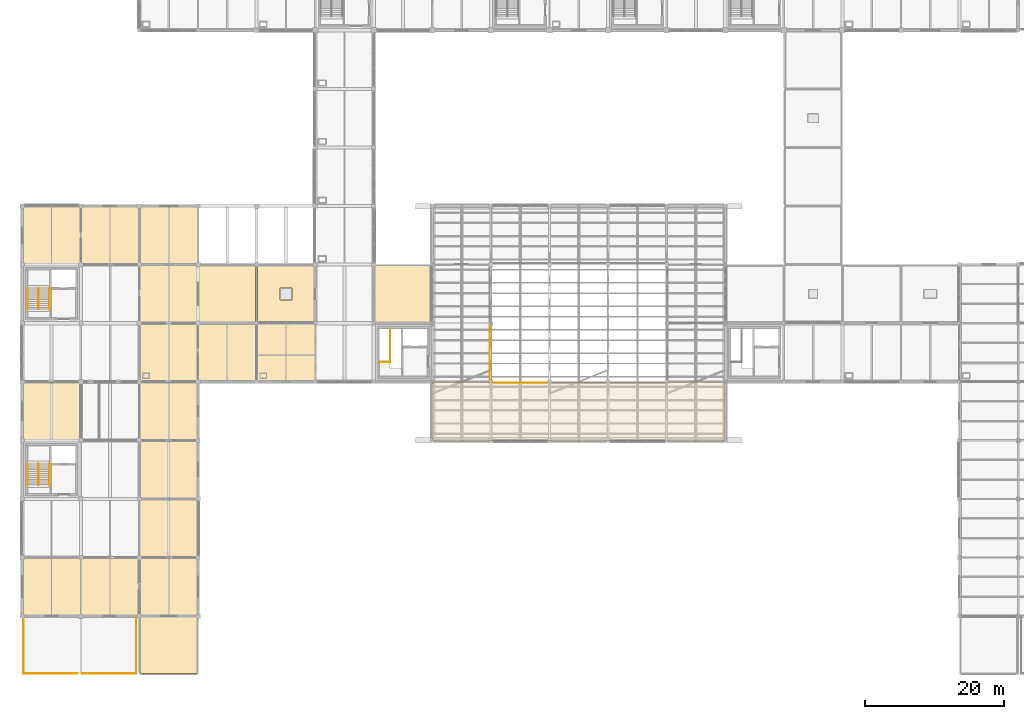
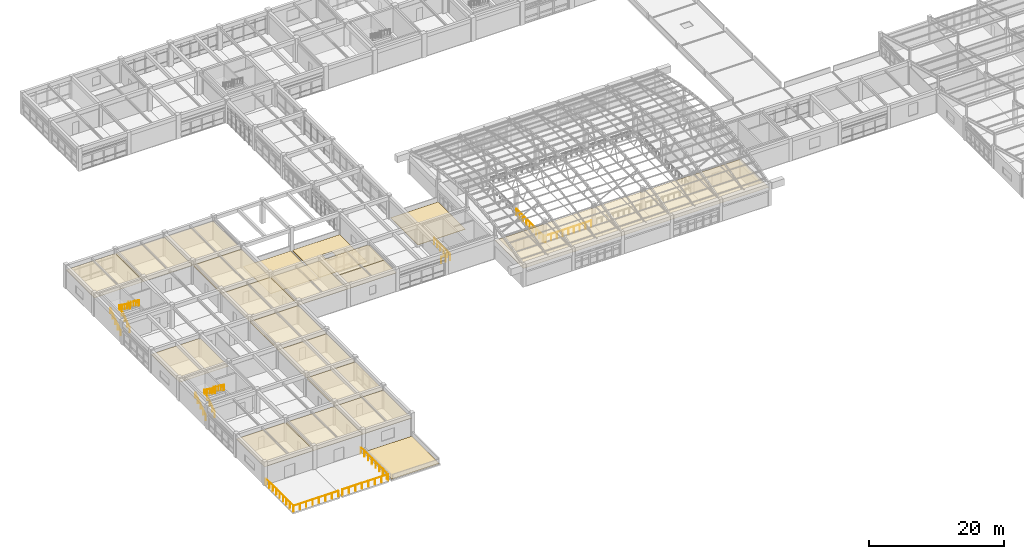
# One storey, part 72 of 74: 20 coverings, 15 railings.
"""IFC4 building model written with IfcOpenShell, lengths in metres."""

from ifc_helpers import new_model, si_unit, direction, frame, origin, origin_2d, place, context, subcontext, project, spatial, polyline, circle, outline, extrude, material, layer, layer_set, type_object, element, save


model = new_model("IFC4")

# Units and contexts
model_context = context("Model", 3, precision=1e-05, world=origin(), true_north=direction((0.0, 1.0)))
body_context = subcontext(model_context, "Body", "Model", "MODEL_VIEW")
ifc_project = project(units=[si_unit("LENGTHUNIT", "METRE"), si_unit("AREAUNIT", "SQUARE_METRE"), si_unit("VOLUMEUNIT", "CUBIC_METRE"), si_unit("PLANEANGLEUNIT", "RADIAN"), si_unit("MASSUNIT", "GRAM", prefix="KILO")], contexts=[model_context])

# Site, building, storey
site_placement = place(None, origin())
site = spatial("IfcSite", under=ifc_project, at=site_placement, CompositionType="ELEMENT")
building_placement = place(site_placement, origin())
building = spatial("IfcBuilding", under=site, at=building_placement, Name="Porcellanite Civic Hall", CompositionType="ELEMENT")
storey_placement = place(building_placement, frame((0.0, 0.0, 14.760009765625)))
storey = spatial("IfcBuildingStorey", under=building, at=storey_placement, Name="L03", CompositionType="ELEMENT", Elevation=14.760009765625)

# Coverings
ifc_material_1 = material(Name="Perforated acoustic mineral-fibre and spotted-gum batten ceiling")
ifc_layer_1 = layer(ifc_material_1, 0.02490234375)
ifc_layer_set_1 = layer_set([ifc_layer_1], Name="Perforated acoustic mineral-fibre and spotted-gum batten ceiling")
covering_type_1 = type_object("IfcCoveringType", Name="COV-CL1", PredefinedType="CEILING", material=ifc_layer_set_1)
covering_1_placement = place(storey_placement, frame((0.0, 0.0, 3.1650390625)))
element("IfcCovering", 1, at=covering_1_placement, inside=storey, type_object=covering_type_1, Name="Acoustic ceiling Council Chamber Public Gallery", PredefinedType="CEILING", context=body_context, shape_type="SweptSolid", body=[
    extrude(outline(polyline([(67.2099609375, 42.010009765625), (109.18994140625, 42.010009765625), (109.18994140625, 50.389892578125), (67.2099609375, 50.389892578125), (67.2099609375, 42.010009765625)])), origin(), (0.0, 0.0, 1.0), 0.02490234375),
])
ifc_material_2 = material(Name="Perforated acoustic mineral-fibre and spotted-gum batten ceiling")
ifc_layer_2 = layer(ifc_material_2, 0.044921875)
ifc_layer_set_2 = layer_set([ifc_layer_2], Name="Perforated acoustic mineral-fibre and spotted-gum batten ceiling")
covering_type_2 = type_object("IfcCoveringType", Name="COV-CL3", PredefinedType="CEILING", material=ifc_layer_set_2)
covering_2_placement = place(storey_placement, frame((0.0, 0.0, 3.14501953125)))
element("IfcCovering", 2, at=covering_2_placement, inside=storey, type_object=covering_type_2, Name="Acoustic ceiling Civic Media Studio L03-A", PredefinedType="CEILING", context=body_context, shape_type="SweptSolid", body=[
    extrude(outline(polyline([(42.010009765625, 50.409912109375), (50.389892578125, 50.409912109375), (50.389892578125, 54.18994140625), (42.010009765625, 54.18994140625), (42.010009765625, 50.409912109375)])), origin(), (0.0, 0.0, 1.0), 0.044921875),
])
covering_3_placement = place(storey_placement, frame((0.0, 0.0, 3.14501953125)))
element("IfcCovering", 3, at=covering_3_placement, inside=storey, type_object=covering_type_2, Name="Acoustic ceiling Policy Research Office L03-B", PredefinedType="CEILING", context=body_context, shape_type="SweptSolid", body=[
    extrude(outline(polyline([(42.010009765625, 54.2099609375), (50.389892578125, 54.2099609375), (50.389892578125, 58.7900390625), (42.010009765625, 58.7900390625), (42.010009765625, 54.2099609375)])), origin(), (0.0, 0.0, 1.0), 0.044921875),
])
covering_4_placement = place(storey_placement, frame((0.0, 0.0, 3.14501953125)))
element("IfcCovering", 4, at=covering_4_placement, inside=storey, type_object=covering_type_2, Name="Acoustic ceiling Statutory Review Suite L03-01", PredefinedType="CEILING", context=body_context, shape_type="SweptSolid", body=[
    extrude(outline(polyline([(8.409912109375, 16.81005859375), (16.7900390625, 16.81005859375), (16.7900390625, 25.18994140625), (8.409912109375, 25.18994140625), (8.409912109375, 16.81005859375)])), origin(), (0.0, 0.0, 1.0), 0.044921875),
])
covering_5_placement = place(storey_placement, frame((0.0, 0.0, 3.14501953125)))
element("IfcCovering", 5, at=covering_5_placement, inside=storey, type_object=covering_type_2, Name="Acoustic ceiling Statutory Review Suite L03-03", PredefinedType="CEILING", context=body_context, shape_type="SweptSolid", body=[
    extrude(outline(polyline([(8.409912109375, 42.010009765625), (16.7900390625, 42.010009765625), (16.7900390625, 50.389892578125), (8.409912109375, 50.389892578125), (8.409912109375, 42.010009765625)])), origin(), (0.0, 0.0, 1.0), 0.044921875),
])
covering_6_placement = place(storey_placement, frame((0.0, 0.0, 3.14501953125)))
element("IfcCovering", 6, at=covering_6_placement, inside=storey, type_object=covering_type_2, Name="Acoustic ceiling Statutory Review Suite L03-05", PredefinedType="CEILING", context=body_context, shape_type="SweptSolid", body=[
    extrude(outline(polyline([(8.409912109375, 67.2099609375), (16.7900390625, 67.2099609375), (16.7900390625, 75.590087890625), (8.409912109375, 75.590087890625), (8.409912109375, 67.2099609375)])), origin(), (0.0, 0.0, 1.0), 0.044921875),
])
covering_7_placement = place(storey_placement, frame((0.0, 0.0, 3.14501953125)))
element("IfcCovering", 7, at=covering_7_placement, inside=storey, type_object=covering_type_2, Name="Acoustic ceiling Public Hearing Room L03-06", PredefinedType="CEILING", context=body_context, shape_type="SweptSolid", body=[
    extrude(outline(polyline([(16.81005859375, 16.81005859375), (25.18994140625, 16.81005859375), (25.18994140625, 25.18994140625), (16.81005859375, 25.18994140625), (16.81005859375, 16.81005859375)])), origin(), (0.0, 0.0, 1.0), 0.044921875),
])
covering_8_placement = place(storey_placement, frame((0.0, 0.0, 3.14501953125)))
element("IfcCovering", 8, at=covering_8_placement, inside=storey, type_object=covering_type_2, Name="Acoustic ceiling Committee Room L03-11", PredefinedType="CEILING", context=body_context, shape_type="SweptSolid", body=[
    extrude(outline(polyline([(16.81005859375, 67.2099609375), (25.18994140625, 67.2099609375), (25.18994140625, 75.590087890625), (16.81005859375, 75.590087890625), (16.81005859375, 67.2099609375)])), origin(), (0.0, 0.0, 1.0), 0.044921875),
])
covering_9_placement = place(storey_placement, frame((0.0, 0.0, 3.14501953125)))
element("IfcCovering", 9, at=covering_9_placement, inside=storey, type_object=covering_type_2, Name="Acoustic ceiling Policy Seminar Room L03-12", PredefinedType="CEILING", context=body_context, shape_type="SweptSolid", body=[
    extrude(outline(polyline([(25.2099609375, 16.81005859375), (33.590087890625, 16.81005859375), (33.590087890625, 25.18994140625), (25.2099609375, 25.18994140625), (25.2099609375, 16.81005859375)])), origin(), (0.0, 0.0, 1.0), 0.044921875),
])
covering_10_placement = place(storey_placement, frame((0.0, 0.0, 3.14501953125)))
element("IfcCovering", 10, at=covering_10_placement, inside=storey, type_object=covering_type_2, Name="Acoustic ceiling Statutory Review Suite L03-13", PredefinedType="CEILING", context=body_context, shape_type="SweptSolid", body=[
    extrude(outline(polyline([(25.2099609375, 25.2099609375), (33.590087890625, 25.2099609375), (33.590087890625, 33.590087890625), (25.2099609375, 33.590087890625), (25.2099609375, 25.2099609375)])), origin(), (0.0, 0.0, 1.0), 0.044921875),
])
covering_11_placement = place(storey_placement, frame((0.0, 0.0, 3.14501953125)))
element("IfcCovering", 11, at=covering_11_placement, inside=storey, type_object=covering_type_2, Name="Acoustic ceiling Committee Room L03-14", PredefinedType="CEILING", context=body_context, shape_type="SweptSolid", body=[
    extrude(outline(polyline([(25.2099609375, 33.610107421875), (33.590087890625, 33.610107421875), (33.590087890625, 41.989990234375), (25.2099609375, 41.989990234375), (25.2099609375, 33.610107421875)])), origin(), (0.0, 0.0, 1.0), 0.044921875),
])
covering_12_placement = place(storey_placement, frame((0.0, 0.0, 3.14501953125)))
element("IfcCovering", 12, at=covering_12_placement, inside=storey, type_object=covering_type_2, Name="Acoustic ceiling Civic Media Studio L03-15", PredefinedType="CEILING", context=body_context, shape_type="SweptSolid", body=[
    extrude(outline(polyline([(25.2099609375, 42.010009765625), (33.590087890625, 42.010009765625), (33.590087890625, 50.389892578125), (25.2099609375, 50.389892578125), (25.2099609375, 42.010009765625)])), origin(), (0.0, 0.0, 1.0), 0.044921875),
])
covering_13_placement = place(storey_placement, frame((0.0, 0.0, 3.14501953125)))
element("IfcCovering", 13, at=covering_13_placement, inside=storey, type_object=covering_type_2, Name="Acoustic ceiling Public Hearing Room L03-16", PredefinedType="CEILING", context=body_context, shape_type="SweptSolid", body=[
    extrude(outline(polyline([(25.2099609375, 50.409912109375), (33.590087890625, 50.409912109375), (33.590087890625, 58.7900390625), (25.2099609375, 58.7900390625), (25.2099609375, 50.409912109375)])), origin(), (0.0, 0.0, 1.0), 0.044921875),
])
covering_14_placement = place(storey_placement, frame((0.0, 0.0, 3.14501953125)))
element("IfcCovering", 14, at=covering_14_placement, inside=storey, type_object=covering_type_2, Name="Acoustic ceiling Policy Seminar Room L03-17", PredefinedType="CEILING", context=body_context, shape_type="SweptSolid", body=[
    extrude(outline(polyline([(25.2099609375, 58.81005859375), (33.590087890625, 58.81005859375), (33.590087890625, 67.18994140625), (25.2099609375, 67.18994140625), (25.2099609375, 58.81005859375)])), origin(), (0.0, 0.0, 1.0), 0.044921875),
])
covering_15_placement = place(storey_placement, frame((0.0, 0.0, 3.14501953125)))
element("IfcCovering", 15, at=covering_15_placement, inside=storey, type_object=covering_type_2, Name="Acoustic ceiling Statutory Review Suite L03-18", PredefinedType="CEILING", context=body_context, shape_type="SweptSolid", body=[
    extrude(outline(polyline([(25.2099609375, 67.2099609375), (33.590087890625, 67.2099609375), (33.590087890625, 75.590087890625), (25.2099609375, 75.590087890625), (25.2099609375, 67.2099609375)])), origin(), (0.0, 0.0, 1.0), 0.044921875),
])
covering_16_placement = place(storey_placement, frame((0.0, 0.0, 3.14501953125)))
element("IfcCovering", 16, at=covering_16_placement, inside=storey, type_object=covering_type_2, Name="Acoustic ceiling Committee Room L03-21", PredefinedType="CEILING", context=body_context, shape_type="SweptSolid", body=[
    extrude(outline(polyline([(33.610107421875, 50.409912109375), (41.989990234375, 50.409912109375), (41.989990234375, 58.7900390625), (33.610107421875, 58.7900390625), (33.610107421875, 50.409912109375)])), origin(), (0.0, 0.0, 1.0), 0.044921875),
])
ifc_material_3 = material(Name="Insulated light-reflective TPO monsoon roofing membrane")
ifc_layer_3 = layer(ifc_material_3, 0.080078125)
ifc_layer_set_3 = layer_set([ifc_layer_3], Name="Insulated light-reflective TPO monsoon roofing membrane")
covering_type_3 = type_object("IfcCoveringType", Name="COV-RF1", PredefinedType="ROOFING", material=ifc_layer_set_3)
covering_17_placement = place(storey_placement, origin())
element("IfcCovering", 17, at=covering_17_placement, inside=storey, type_object=covering_type_3, Name="Roof membrane L03 6-8", PredefinedType="ROOFING", context=body_context, shape_type="SweptSolid", body=[
    extrude(outline(polyline([(42.14990234375, 58.949951171875), (50.25, 58.949951171875), (50.25, 67.050048828125), (42.14990234375, 67.050048828125), (42.14990234375, 58.949951171875)]), holes=[polyline([(45.35009765625, 62.14990234375), (47.050048828125, 62.14990234375), (47.050048828125, 63.85009765625), (45.35009765625, 63.85009765625), (45.35009765625, 62.14990234375)])]), origin(), (0.0, 0.0, 1.0), 0.080078125),
])
ifc_material_4 = material(Name="Insulated light-reflective TPO monsoon roofing membrane")
ifc_layer_4 = layer(ifc_material_4, 0.070068359375)
ifc_layer_set_4 = layer_set([ifc_layer_4], Name="Insulated light-reflective TPO monsoon roofing membrane")
covering_type_4 = type_object("IfcCoveringType", Name="COV-RF2", PredefinedType="ROOFING", material=ifc_layer_set_4)
covering_18_placement = place(storey_placement, origin())
element("IfcCovering", 18, at=covering_18_placement, inside=storey, type_object=covering_type_4, Name="Roof membrane L03 4-2", PredefinedType="ROOFING", context=body_context, shape_type="SweptSolid", body=[
    extrude(outline(polyline([(25.35009765625, 8.550048828125), (33.449951171875, 8.550048828125), (33.449951171875, 16.64990234375), (25.35009765625, 16.64990234375), (25.35009765625, 8.550048828125)])), origin(), (0.0, 0.0, 1.0), 0.070068359375),
])
covering_19_placement = place(storey_placement, origin())
element("IfcCovering", 19, at=covering_19_placement, inside=storey, type_object=covering_type_4, Name="Roof membrane L03 8-8", PredefinedType="ROOFING", context=body_context, shape_type="SweptSolid", body=[
    extrude(outline(polyline([(58.949951171875, 58.949951171875), (67.050048828125, 58.949951171875), (67.050048828125, 67.050048828125), (58.949951171875, 67.050048828125), (58.949951171875, 58.949951171875)])), origin(), (0.0, 0.0, 1.0), 0.070068359375),
])
ifc_material_5 = material(Name="Insulated light-reflective TPO monsoon roofing membrane")
ifc_layer_5 = layer(ifc_material_5, 0.06005859375)
ifc_layer_set_5 = layer_set([ifc_layer_5], Name="Insulated light-reflective TPO monsoon roofing membrane")
covering_type_5 = type_object("IfcCoveringType", Name="COV-RF3", PredefinedType="ROOFING", material=ifc_layer_set_5)
covering_20_placement = place(storey_placement, origin())
element("IfcCovering", 20, at=covering_20_placement, inside=storey, type_object=covering_type_5, Name="Roof membrane L03 5-8", PredefinedType="ROOFING", context=body_context, shape_type="SweptSolid", body=[
    extrude(outline(polyline([(33.75, 58.949951171875), (41.85009765625, 58.949951171875), (41.85009765625, 67.050048828125), (33.75, 67.050048828125), (33.75, 58.949951171875)])), origin(), (0.0, 0.0, 1.0), 0.06005859375),
])

# Railings
ifc_material_6 = material(Name="Stainless steel 316", Category="steel")
railing_type_1 = type_object("IfcRailingType", Name="RL-BAL112", PredefinedType="BALUSTRADE", material=ifc_material_6)
railing_1_placement = place(storey_placement, frame((8.56005859375, 8.56005859375, 0.0)))
element("IfcRailing", 21, at=railing_1_placement, inside=storey, type_object=railing_type_1, Name="Terrace balustrade L03 S 2-2", PredefinedType="BALUSTRADE", context=body_context, shape_type="SweptSolid", body=[
    extrude(circle(Radius=0.02490234375, at=origin_2d()), frame((0.0, 0.0, 1.09521484375), z_axis=(1.0, 0.0, 0.0), x_axis=(0.0, 1.0, 0.0)), (0.0, 0.0, 1.0), 7.68994140625),
    extrude(circle(Radius=0.02197265625, at=origin_2d()), origin(), (0.0, 0.0, 1.0), 1.070068359375),
    extrude(circle(Radius=0.02197265625, at=origin_2d()), frame((1.0986328125, 0.0, 0.0)), (0.0, 0.0, 1.0), 1.070068359375),
    extrude(circle(Radius=0.02197265625, at=origin_2d()), frame((2.197021484375, 0.0, 0.0)), (0.0, 0.0, 1.0), 1.070068359375),
    extrude(circle(Radius=0.02197265625, at=origin_2d()), frame((3.295654296875, 0.0, 0.0)), (0.0, 0.0, 1.0), 1.070068359375),
    extrude(circle(Radius=0.02197265625, at=origin_2d()), frame((4.394287109375, 0.0, 0.0)), (0.0, 0.0, 1.0), 1.070068359375),
    extrude(circle(Radius=0.02197265625, at=origin_2d()), frame((5.492919921875, 0.0, 0.0)), (0.0, 0.0, 1.0), 1.070068359375),
    extrude(circle(Radius=0.02197265625, at=origin_2d()), frame((6.59130859375, 0.0, 0.0)), (0.0, 0.0, 1.0), 1.070068359375),
    extrude(circle(Radius=0.02197265625, at=origin_2d()), frame((7.68994140625, 0.0, 0.0)), (0.0, 0.0, 1.0), 1.070068359375),
])
railing_2_placement = place(storey_placement, frame((8.56005859375, 8.56005859375, 0.0)))
element("IfcRailing", 22, at=railing_2_placement, inside=storey, type_object=railing_type_1, Name="Terrace balustrade L03 W 2-2", PredefinedType="BALUSTRADE", context=body_context, shape_type="SweptSolid", body=[
    extrude(circle(Radius=0.02490234375, at=origin_2d()), frame((0.0, 0.0, 1.09521484375), z_axis=(0.0, 1.0, 0.0), x_axis=(-1.0, 0.0, 0.0)), (0.0, 0.0, 1.0), 8.079833984375),
    extrude(circle(Radius=0.02197265625, at=origin_2d()), origin(), (0.0, 0.0, 1.0), 1.070068359375),
    extrude(circle(Radius=0.02197265625, at=origin_2d()), frame((0.0, 1.010009765625, 0.0)), (0.0, 0.0, 1.0), 1.070068359375),
    extrude(circle(Radius=0.02197265625, at=origin_2d()), frame((0.0, 2.02001953125, 0.0)), (0.0, 0.0, 1.0), 1.070068359375),
    extrude(circle(Radius=0.02197265625, at=origin_2d()), frame((0.0, 3.030029296875, 0.0)), (0.0, 0.0, 1.0), 1.070068359375),
    extrude(circle(Radius=0.02197265625, at=origin_2d()), frame((0.0, 4.0400390625, 0.0)), (0.0, 0.0, 1.0), 1.070068359375),
    extrude(circle(Radius=0.02197265625, at=origin_2d()), frame((0.0, 5.0498046875, 0.0)), (0.0, 0.0, 1.0), 1.070068359375),
    extrude(circle(Radius=0.02197265625, at=origin_2d()), frame((0.0, 6.059814453125, 0.0)), (0.0, 0.0, 1.0), 1.070068359375),
    extrude(circle(Radius=0.02197265625, at=origin_2d()), frame((0.0, 7.06982421875, 0.0)), (0.0, 0.0, 1.0), 1.070068359375),
    extrude(circle(Radius=0.02197265625, at=origin_2d()), frame((0.0, 8.079833984375, 0.0)), (0.0, 0.0, 1.0), 1.070068359375),
])
ifc_material_7 = material(Name="Brushed stainless steel 316", Category="steel")
railing_type_2 = type_object("IfcRailingType", Name="RL-GR114", PredefinedType="GUARDRAIL", material=ifc_material_7)
railing_3_placement = place(storey_placement, frame((59.610107421875, 53.219970703125, 0.0)))
element("IfcRailing", 23, at=railing_3_placement, inside=storey, type_object=railing_type_2, Name="Stairwell top guard ST-05 L03", PredefinedType="GUARDRAIL", context=body_context, shape_type="SweptSolid", body=[
    extrude(circle(Radius=0.02490234375, at=origin_2d()), frame((0.0, 0.0, 1.11474609375), z_axis=(1.0, 0.0, 0.0), x_axis=(0.0, 1.0, 0.0)), (0.0, 0.0, 1.0), 1.5498046875),
    extrude(circle(Radius=0.02490234375, at=origin_2d()), frame((1.5498046875, 0.0, 1.11474609375), z_axis=(0.0, 1.0, 0.0), x_axis=(-1.0, 0.0, 0.0)), (0.0, 0.0, 1.0), 4.77001953125),
    extrude(circle(Radius=0.02099609375, at=origin_2d()), origin(), (0.0, 0.0, 1.0), 1.08984375),
    extrude(circle(Radius=0.02099609375, at=origin_2d()), frame((0.77490234375, 0.0, 0.0)), (0.0, 0.0, 1.0), 1.08984375),
    extrude(circle(Radius=0.02099609375, at=origin_2d()), frame((1.5498046875, 0.0, 0.0)), (0.0, 0.0, 1.0), 1.08984375),
    extrude(circle(Radius=0.02099609375, at=origin_2d()), frame((1.5498046875, 0.9541015625, 0.0)), (0.0, 0.0, 1.0), 1.08984375),
    extrude(circle(Radius=0.02099609375, at=origin_2d()), frame((1.5498046875, 1.907958984375, 0.0)), (0.0, 0.0, 1.0), 1.08984375),
    extrude(circle(Radius=0.02099609375, at=origin_2d()), frame((1.5498046875, 2.862060546875, 0.0)), (0.0, 0.0, 1.0), 1.08984375),
    extrude(circle(Radius=0.02099609375, at=origin_2d()), frame((1.5498046875, 3.81591796875, 0.0)), (0.0, 0.0, 1.0), 1.08984375),
    extrude(circle(Radius=0.02099609375, at=origin_2d()), frame((1.5498046875, 4.77001953125, 0.0)), (0.0, 0.0, 1.0), 1.08984375),
])
railing_4_placement = place(storey_placement, frame((75.719970703125, 50.239990234375, 0.0)))
element("IfcRailing", 24, at=railing_4_placement, inside=storey, type_object=railing_type_2, Name="Gallery void guard L03 S 10-7", PredefinedType="GUARDRAIL", context=body_context, shape_type="SweptSolid", body=[
    extrude(circle(Radius=0.02490234375, at=origin_2d()), frame((0.0, 0.0, 1.11474609375), z_axis=(1.0, 0.0, 0.0), x_axis=(0.0, 1.0, 0.0)), (0.0, 0.0, 1.0), 7.830078125),
    extrude(circle(Radius=0.02197265625, at=origin_2d()), origin(), (0.0, 0.0, 1.0), 1.08984375),
    extrude(circle(Radius=0.02197265625, at=origin_2d()), frame((0.978759765625, 0.0, 0.0)), (0.0, 0.0, 1.0), 1.08984375),
    extrude(circle(Radius=0.02197265625, at=origin_2d()), frame((1.95751953125, 0.0, 0.0)), (0.0, 0.0, 1.0), 1.08984375),
    extrude(circle(Radius=0.02197265625, at=origin_2d()), frame((2.936279296875, 0.0, 0.0)), (0.0, 0.0, 1.0), 1.08984375),
    extrude(circle(Radius=0.02197265625, at=origin_2d()), frame((3.9150390625, 0.0, 0.0)), (0.0, 0.0, 1.0), 1.08984375),
    extrude(circle(Radius=0.02197265625, at=origin_2d()), frame((4.893798828125, 0.0, 0.0)), (0.0, 0.0, 1.0), 1.08984375),
    extrude(circle(Radius=0.02197265625, at=origin_2d()), frame((5.87255859375, 0.0, 0.0)), (0.0, 0.0, 1.0), 1.08984375),
    extrude(circle(Radius=0.02197265625, at=origin_2d()), frame((6.851318359375, 0.0, 0.0)), (0.0, 0.0, 1.0), 1.08984375),
    extrude(circle(Radius=0.02197265625, at=origin_2d()), frame((7.830078125, 0.0, 0.0)), (0.0, 0.0, 1.0), 1.08984375),
])
railing_5_placement = place(storey_placement, frame((75.43994140625, 50.52001953125, 0.0)))
element("IfcRailing", 25, at=railing_5_placement, inside=storey, type_object=railing_type_2, Name="Gallery void guard L03 W 10-7", PredefinedType="GUARDRAIL", context=body_context, shape_type="SweptSolid", body=[
    extrude(circle(Radius=0.02490234375, at=origin_2d()), frame((0.0, 0.0, 1.11474609375), z_axis=(0.0, 1.0, 0.0), x_axis=(-1.0, 0.0, 0.0)), (0.0, 0.0, 1.0), 7.830078125),
    extrude(circle(Radius=0.02197265625, at=origin_2d()), origin(), (0.0, 0.0, 1.0), 1.08984375),
    extrude(circle(Radius=0.02197265625, at=origin_2d()), frame((0.0, 0.978759765625, 0.0)), (0.0, 0.0, 1.0), 1.08984375),
    extrude(circle(Radius=0.02197265625, at=origin_2d()), frame((0.0, 1.95751953125, 0.0)), (0.0, 0.0, 1.0), 1.08984375),
    extrude(circle(Radius=0.02197265625, at=origin_2d()), frame((0.0, 2.936279296875, 0.0)), (0.0, 0.0, 1.0), 1.08984375),
    extrude(circle(Radius=0.02197265625, at=origin_2d()), frame((0.0, 3.9150390625, 0.0)), (0.0, 0.0, 1.0), 1.08984375),
    extrude(circle(Radius=0.02197265625, at=origin_2d()), frame((0.0, 4.893798828125, 0.0)), (0.0, 0.0, 1.0), 1.08984375),
    extrude(circle(Radius=0.02197265625, at=origin_2d()), frame((0.0, 5.87255859375, 0.0)), (0.0, 0.0, 1.0), 1.08984375),
    extrude(circle(Radius=0.02197265625, at=origin_2d()), frame((0.0, 6.851318359375, 0.0)), (0.0, 0.0, 1.0), 1.08984375),
    extrude(circle(Radius=0.02197265625, at=origin_2d()), frame((0.0, 7.830078125, 0.0)), (0.0, 0.0, 1.0), 1.08984375),
])
ifc_material_8 = material(Name="Brushed stainless steel 316", Category="steel")
railing_type_3 = type_object("IfcRailingType", Name="RL-HR920", PredefinedType="HANDRAIL", material=ifc_material_8)
railing_6_placement = place(storey_placement, frame((9.18505859375, 35.60009765625, 0.0)))
element("IfcRailing", 26, at=railing_6_placement, inside=storey, type_object=railing_type_3, Name="Stair handrail ST-01 L03 1", PredefinedType="HANDRAIL", context=body_context, shape_type="SweptSolid", body=[
    extrude(circle(Radius=0.02197265625, at=origin_2d()), frame((0.0, 0.0, 0.89794921875), z_axis=(0.0, 0.813826661234, 0.581107705564), x_axis=(-1.0, 0.0, 0.0)), (0.0, 0.0, 1.0), 3.716796875),
    extrude(circle(Radius=0.01904296875, at=origin_2d()), origin(), (0.0, 0.0, 1.0), 0.8759765625),
    extrude(circle(Radius=0.01904296875, at=origin_2d()), frame((0.0, 0.75634765625, 0.5400390625)), (0.0, 0.0, 1.0), 0.8759765625),
    extrude(circle(Radius=0.01904296875, at=origin_2d()), frame((0.0, 1.512451171875, 1.080078125)), (0.0, 0.0, 1.0), 0.8759765625),
    extrude(circle(Radius=0.01904296875, at=origin_2d()), frame((0.0, 2.2685546875, 1.619873046875)), (0.0, 0.0, 1.0), 0.8759765625),
    extrude(circle(Radius=0.01904296875, at=origin_2d()), frame((0.0, 3.02490234375, 2.159912109375)), (0.0, 0.0, 1.0), 0.8759765625),
])
railing_7_placement = place(storey_placement, frame((10.764892578125, 38.625, 2.159912109375)))
element("IfcRailing", 27, at=railing_7_placement, inside=storey, type_object=railing_type_3, Name="Stair handrail ST-01 L03 3", PredefinedType="HANDRAIL", context=body_context, shape_type="SweptSolid", body=[
    extrude(circle(Radius=0.02197265625, at=origin_2d()), frame((0.0, 0.0, 0.89794921875), z_axis=(0.0, -0.813795597845, 0.581151206596), x_axis=(1.0, 0.0, 0.0)), (0.0, 0.0, 1.0), 3.717041015625),
    extrude(circle(Radius=0.01904296875, at=origin_2d()), origin(), (0.0, 0.0, 1.0), 0.8759765625),
    extrude(circle(Radius=0.01904296875, at=origin_2d()), frame((0.0, -0.75634765625, 0.5400390625)), (0.0, 0.0, 1.0), 0.8759765625),
    extrude(circle(Radius=0.01904296875, at=origin_2d()), frame((0.0, -1.512451171875, 1.080078125)), (0.0, 0.0, 1.0), 0.8759765625),
    extrude(circle(Radius=0.01904296875, at=origin_2d()), frame((0.0, -2.2685546875, 1.6201171875)), (0.0, 0.0, 1.0), 0.8759765625),
    extrude(circle(Radius=0.01904296875, at=origin_2d()), frame((0.0, -3.02490234375, 2.16015625)), (0.0, 0.0, 1.0), 0.8759765625),
])
railing_8_placement = place(storey_placement, frame((9.18505859375, 60.800048828125, 0.0)))
element("IfcRailing", 28, at=railing_8_placement, inside=storey, type_object=railing_type_3, Name="Stair handrail ST-02 L03 1", PredefinedType="HANDRAIL", context=body_context, shape_type="SweptSolid", body=[
    extrude(circle(Radius=0.02197265625, at=origin_2d()), frame((0.0, 0.0, 0.89794921875), z_axis=(0.0, 0.813826661234, 0.581107705564), x_axis=(-1.0, 0.0, 0.0)), (0.0, 0.0, 1.0), 3.716796875),
    extrude(circle(Radius=0.01904296875, at=origin_2d()), origin(), (0.0, 0.0, 1.0), 0.8759765625),
    extrude(circle(Radius=0.01904296875, at=origin_2d()), frame((0.0, 0.75634765625, 0.5400390625)), (0.0, 0.0, 1.0), 0.8759765625),
    extrude(circle(Radius=0.01904296875, at=origin_2d()), frame((0.0, 1.512451171875, 1.080078125)), (0.0, 0.0, 1.0), 0.8759765625),
    extrude(circle(Radius=0.01904296875, at=origin_2d()), frame((0.0, 2.2685546875, 1.619873046875)), (0.0, 0.0, 1.0), 0.8759765625),
    extrude(circle(Radius=0.01904296875, at=origin_2d()), frame((0.0, 3.02490234375, 2.159912109375)), (0.0, 0.0, 1.0), 0.8759765625),
])
railing_9_placement = place(storey_placement, frame((10.764892578125, 63.824951171875, 2.159912109375)))
element("IfcRailing", 29, at=railing_9_placement, inside=storey, type_object=railing_type_3, Name="Stair handrail ST-02 L03 3", PredefinedType="HANDRAIL", context=body_context, shape_type="SweptSolid", body=[
    extrude(circle(Radius=0.02197265625, at=origin_2d()), frame((0.0, 0.0, 0.89794921875), z_axis=(0.0, -0.813795597845, 0.581151206596), x_axis=(1.0, 0.0, 0.0)), (0.0, 0.0, 1.0), 3.717041015625),
    extrude(circle(Radius=0.01904296875, at=origin_2d()), origin(), (0.0, 0.0, 1.0), 0.8759765625),
    extrude(circle(Radius=0.01904296875, at=origin_2d()), frame((0.0, -0.75634765625, 0.5400390625)), (0.0, 0.0, 1.0), 0.8759765625),
    extrude(circle(Radius=0.01904296875, at=origin_2d()), frame((0.0, -1.512451171875, 1.080078125)), (0.0, 0.0, 1.0), 0.8759765625),
    extrude(circle(Radius=0.01904296875, at=origin_2d()), frame((0.0, -2.2685546875, 1.6201171875)), (0.0, 0.0, 1.0), 0.8759765625),
    extrude(circle(Radius=0.01904296875, at=origin_2d()), frame((0.0, -3.02490234375, 2.16015625)), (0.0, 0.0, 1.0), 0.8759765625),
])
ifc_material_9 = material(Name="Brushed stainless steel 316", Category="steel")
railing_type_4 = type_object("IfcRailingType", Name="RL-HR950", PredefinedType="HANDRAIL", material=ifc_material_9)
railing_10_placement = place(storey_placement, frame((10.735107421875, 35.60009765625, 0.0)))
element("IfcRailing", 30, at=railing_10_placement, inside=storey, type_object=railing_type_4, Name="Stair handrail ST-01 L03 2", PredefinedType="HANDRAIL", context=body_context, shape_type="SweptSolid", body=[
    extrude(circle(Radius=0.02197265625, at=origin_2d()), frame((0.0, 0.0, 0.927978515625), z_axis=(0.0, 0.813826661234, 0.581107705564), x_axis=(-1.0, 0.0, 0.0)), (0.0, 0.0, 1.0), 3.716796875),
    extrude(circle(Radius=0.01904296875, at=origin_2d()), origin(), (0.0, 0.0, 1.0), 0.906005859375),
    extrude(circle(Radius=0.01904296875, at=origin_2d()), frame((0.0, 0.75634765625, 0.5400390625)), (0.0, 0.0, 1.0), 0.906005859375),
    extrude(circle(Radius=0.01904296875, at=origin_2d()), frame((0.0, 1.512451171875, 1.080078125)), (0.0, 0.0, 1.0), 0.906005859375),
    extrude(circle(Radius=0.01904296875, at=origin_2d()), frame((0.0, 2.2685546875, 1.619873046875)), (0.0, 0.0, 1.0), 0.906005859375),
    extrude(circle(Radius=0.01904296875, at=origin_2d()), frame((0.0, 3.02490234375, 2.159912109375)), (0.0, 0.0, 1.0), 0.906005859375),
])
railing_11_placement = place(storey_placement, frame((12.31494140625, 38.625, 2.159912109375)))
element("IfcRailing", 31, at=railing_11_placement, inside=storey, type_object=railing_type_4, Name="Stair handrail ST-01 L03 4", PredefinedType="HANDRAIL", context=body_context, shape_type="SweptSolid", body=[
    extrude(circle(Radius=0.02197265625, at=origin_2d()), frame((0.0, 0.0, 0.927978515625), z_axis=(0.0, -0.813795597845, 0.581151206596), x_axis=(1.0, 0.0, 0.0)), (0.0, 0.0, 1.0), 3.717041015625),
    extrude(circle(Radius=0.01904296875, at=origin_2d()), origin(), (0.0, 0.0, 1.0), 0.906005859375),
    extrude(circle(Radius=0.01904296875, at=origin_2d()), frame((0.0, -0.75634765625, 0.5400390625)), (0.0, 0.0, 1.0), 0.906005859375),
    extrude(circle(Radius=0.01904296875, at=origin_2d()), frame((0.0, -1.512451171875, 1.080078125)), (0.0, 0.0, 1.0), 0.906005859375),
    extrude(circle(Radius=0.01904296875, at=origin_2d()), frame((0.0, -2.2685546875, 1.6201171875)), (0.0, 0.0, 1.0), 0.906005859375),
    extrude(circle(Radius=0.01904296875, at=origin_2d()), frame((0.0, -3.02490234375, 2.16015625)), (0.0, 0.0, 1.0), 0.906005859375),
])
railing_12_placement = place(storey_placement, frame((10.735107421875, 60.800048828125, 0.0)))
element("IfcRailing", 32, at=railing_12_placement, inside=storey, type_object=railing_type_4, Name="Stair handrail ST-02 L03 2", PredefinedType="HANDRAIL", context=body_context, shape_type="SweptSolid", body=[
    extrude(circle(Radius=0.02197265625, at=origin_2d()), frame((0.0, 0.0, 0.927978515625), z_axis=(0.0, 0.813826661234, 0.581107705564), x_axis=(-1.0, 0.0, 0.0)), (0.0, 0.0, 1.0), 3.716796875),
    extrude(circle(Radius=0.01904296875, at=origin_2d()), origin(), (0.0, 0.0, 1.0), 0.906005859375),
    extrude(circle(Radius=0.01904296875, at=origin_2d()), frame((0.0, 0.75634765625, 0.5400390625)), (0.0, 0.0, 1.0), 0.906005859375),
    extrude(circle(Radius=0.01904296875, at=origin_2d()), frame((0.0, 1.512451171875, 1.080078125)), (0.0, 0.0, 1.0), 0.906005859375),
    extrude(circle(Radius=0.01904296875, at=origin_2d()), frame((0.0, 2.2685546875, 1.619873046875)), (0.0, 0.0, 1.0), 0.906005859375),
    extrude(circle(Radius=0.01904296875, at=origin_2d()), frame((0.0, 3.02490234375, 2.159912109375)), (0.0, 0.0, 1.0), 0.906005859375),
])
railing_13_placement = place(storey_placement, frame((12.31494140625, 63.824951171875, 2.159912109375)))
element("IfcRailing", 33, at=railing_13_placement, inside=storey, type_object=railing_type_4, Name="Stair handrail ST-02 L03 4", PredefinedType="HANDRAIL", context=body_context, shape_type="SweptSolid", body=[
    extrude(circle(Radius=0.02197265625, at=origin_2d()), frame((0.0, 0.0, 0.927978515625), z_axis=(0.0, -0.813795597845, 0.581151206596), x_axis=(1.0, 0.0, 0.0)), (0.0, 0.0, 1.0), 3.717041015625),
    extrude(circle(Radius=0.01904296875, at=origin_2d()), origin(), (0.0, 0.0, 1.0), 0.906005859375),
    extrude(circle(Radius=0.01904296875, at=origin_2d()), frame((0.0, -0.75634765625, 0.5400390625)), (0.0, 0.0, 1.0), 0.906005859375),
    extrude(circle(Radius=0.01904296875, at=origin_2d()), frame((0.0, -1.512451171875, 1.080078125)), (0.0, 0.0, 1.0), 0.906005859375),
    extrude(circle(Radius=0.01904296875, at=origin_2d()), frame((0.0, -2.2685546875, 1.6201171875)), (0.0, 0.0, 1.0), 0.906005859375),
    extrude(circle(Radius=0.01904296875, at=origin_2d()), frame((0.0, -3.02490234375, 2.16015625)), (0.0, 0.0, 1.0), 0.906005859375),
])
ifc_material_10 = material(Name="Anodised aluminium 6063-T6", Category="aluminium")
railing_type_5 = type_object("IfcRailingType", Name="RL-TER115", PredefinedType="BALUSTRADE", material=ifc_material_10)
railing_14_placement = place(storey_placement, frame((16.9599609375, 8.56005859375, 0.0)))
element("IfcRailing", 34, at=railing_14_placement, inside=storey, type_object=railing_type_5, Name="Terrace balustrade L03 S 3-2", PredefinedType="BALUSTRADE", context=body_context, shape_type="SweptSolid", body=[
    extrude(circle(Radius=0.02490234375, at=origin_2d()), frame((0.0, 0.0, 1.125), z_axis=(1.0, 0.0, 0.0), x_axis=(0.0, 1.0, 0.0)), (0.0, 0.0, 1.0), 7.7900390625),
    extrude(circle(Radius=0.02197265625, at=origin_2d()), origin(), (0.0, 0.0, 1.0), 1.099853515625),
    extrude(circle(Radius=0.02197265625, at=origin_2d()), frame((1.11279296875, 0.0, 0.0)), (0.0, 0.0, 1.0), 1.099853515625),
    extrude(circle(Radius=0.02197265625, at=origin_2d()), frame((2.225830078125, 0.0, 0.0)), (0.0, 0.0, 1.0), 1.099853515625),
    extrude(circle(Radius=0.02197265625, at=origin_2d()), frame((3.338623046875, 0.0, 0.0)), (0.0, 0.0, 1.0), 1.099853515625),
    extrude(circle(Radius=0.02197265625, at=origin_2d()), frame((4.451416015625, 0.0, 0.0)), (0.0, 0.0, 1.0), 1.099853515625),
    extrude(circle(Radius=0.02197265625, at=origin_2d()), frame((5.564208984375, 0.0, 0.0)), (0.0, 0.0, 1.0), 1.099853515625),
    extrude(circle(Radius=0.02197265625, at=origin_2d()), frame((6.67724609375, 0.0, 0.0)), (0.0, 0.0, 1.0), 1.099853515625),
    extrude(circle(Radius=0.02197265625, at=origin_2d()), frame((7.7900390625, 0.0, 0.0)), (0.0, 0.0, 1.0), 1.099853515625),
])
railing_15_placement = place(storey_placement, frame((24.75, 8.949951171875, 0.0)))
element("IfcRailing", 35, at=railing_15_placement, inside=storey, type_object=railing_type_5, Name="Terrace balustrade L03 E 3-2", PredefinedType="BALUSTRADE", context=body_context, shape_type="SweptSolid", body=[
    extrude(circle(Radius=0.02490234375, at=origin_2d()), frame((0.0, 0.0, 1.125), z_axis=(0.0, 1.0, 0.0), x_axis=(-1.0, 0.0, 0.0)), (0.0, 0.0, 1.0), 7.68994140625),
    extrude(circle(Radius=0.02197265625, at=origin_2d()), origin(), (0.0, 0.0, 1.0), 1.099853515625),
    extrude(circle(Radius=0.02197265625, at=origin_2d()), frame((0.0, 1.0986328125, 0.0)), (0.0, 0.0, 1.0), 1.099853515625),
    extrude(circle(Radius=0.02197265625, at=origin_2d()), frame((0.0, 2.197021484375, 0.0)), (0.0, 0.0, 1.0), 1.099853515625),
    extrude(circle(Radius=0.02197265625, at=origin_2d()), frame((0.0, 3.295654296875, 0.0)), (0.0, 0.0, 1.0), 1.099853515625),
    extrude(circle(Radius=0.02197265625, at=origin_2d()), frame((0.0, 4.394287109375, 0.0)), (0.0, 0.0, 1.0), 1.099853515625),
    extrude(circle(Radius=0.02197265625, at=origin_2d()), frame((0.0, 5.492919921875, 0.0)), (0.0, 0.0, 1.0), 1.099853515625),
    extrude(circle(Radius=0.02197265625, at=origin_2d()), frame((0.0, 6.59130859375, 0.0)), (0.0, 0.0, 1.0), 1.099853515625),
    extrude(circle(Radius=0.02197265625, at=origin_2d()), frame((0.0, 7.68994140625, 0.0)), (0.0, 0.0, 1.0), 1.099853515625),
])

save(model, "model.ifc")
